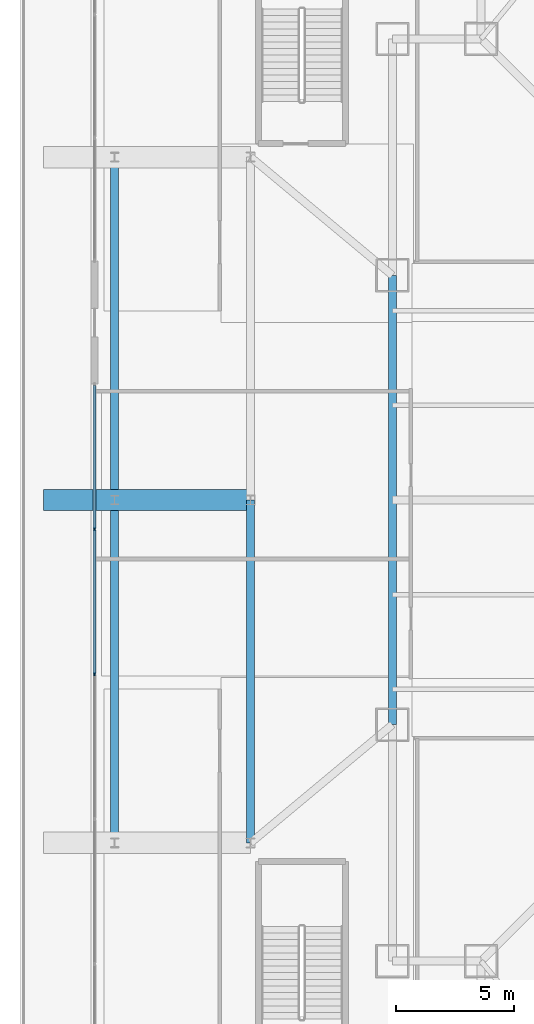
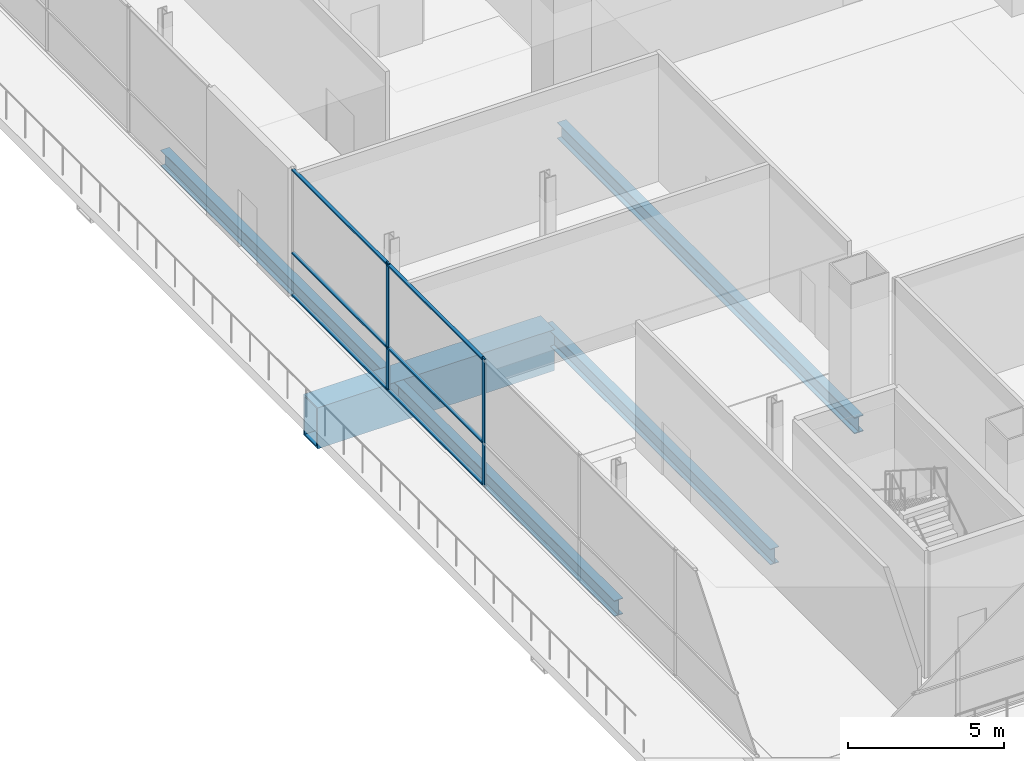
# One storey, part 7 of 35: 8 members, 4 beams, 1 element without a shape of its own.
"""IFC4 building model written with IfcOpenShell, lengths in metres."""

from ifc_helpers import new_model, si_unit, direction, frame, origin, origin_2d, place, context, subcontext, project, spatial, rectangle, hollow_rectangle, i_section, extrude, material, layer, layer_set, material_profile, profile_set, type_object, element, aggregate, save


model = new_model("IFC4")

# Units and contexts
model_context = context("Model", 3, precision=1e-05, world=origin(), true_north=direction((0.0, 1.0)))
body_context = subcontext(model_context, "Body", "Model", "MODEL_VIEW")
ifc_project = project(units=[si_unit("LENGTHUNIT", "METRE"), si_unit("AREAUNIT", "SQUARE_METRE"), si_unit("VOLUMEUNIT", "CUBIC_METRE"), si_unit("PLANEANGLEUNIT", "RADIAN"), si_unit("MASSUNIT", "GRAM", prefix="KILO")], contexts=[model_context])

# Site, building, storey
site_placement = place(None, origin())
site = spatial("IfcSite", under=ifc_project, at=site_placement, CompositionType="ELEMENT")
building_placement = place(site_placement, origin())
building = spatial("IfcBuilding", under=site, at=building_placement, Name="Trevonay Congress Spire", CompositionType="ELEMENT")
storey_placement = place(building_placement, frame((0.0, 0.0, 10.800048828125)))
storey = spatial("IfcBuildingStorey", under=building, at=storey_placement, Name="L02", CompositionType="ELEMENT", Elevation=10.800048828125)

# Beams
ifc_material_1 = material(Name="Steel ASTM A572 Grade 50", Category="steel")
ifc_material_profile_1 = material_profile(ifc_material_1, i_section(OverallWidth=0.324951171875, OverallDepth=0.615966796875, WebThickness=0.013916015625, FlangeThickness=0.021484375, FilletRadius=0.01806640625, at=origin_2d()), Name="W610x174")
ifc_profile_set_1 = profile_set([ifc_material_profile_1], Name="Steel ASTM A572 Grade 50")
beam_type_1 = type_object("IfcBeamType", Name="BM-GIRD-W610X174", PredefinedType="BEAM", material=ifc_profile_set_1)
beam_1_placement = place(storey_placement, frame((-29.25, -14.5, -0.7080078125), z_axis=(0.0, 1.0, 0.0), x_axis=(-1.0, 0.0, 0.0)))
element("IfcBeam", 1, at=beam_1_placement, inside=storey, type_object=beam_type_1, Name="L02 structural beam BM-L02-POD-WL", PredefinedType="BEAM", context=body_context, shape_type="SweptSolid", body=[
    extrude(i_section(OverallWidth=0.324951171875, OverallDepth=0.615966796875, WebThickness=0.013916015625, FlangeThickness=0.021484375, FilletRadius=0.01806640625, at=origin_2d()), origin(), (0.0, 0.0, 1.0), 14.5),
])
beam_2_placement = place(storey_placement, frame((-35.0, -14.5, -0.7080078125), z_axis=(0.0, 1.0, 0.0), x_axis=(-1.0, 0.0, 0.0)))
element("IfcBeam", 2, at=beam_2_placement, inside=storey, type_object=beam_type_1, Name="L02 structural beam BM-L02-EXWL", PredefinedType="BEAM", context=body_context, shape_type="SweptSolid", body=[
    extrude(i_section(OverallWidth=0.324951171875, OverallDepth=0.615966796875, WebThickness=0.013916015625, FlangeThickness=0.021484375, FilletRadius=0.01806640625, at=origin_2d()), origin(), (0.0, 0.0, 1.0), 29.0),
])
ifc_material_profile_2 = material_profile(ifc_material_1, i_section(OverallWidth=0.3291015625, OverallDepth=0.635009765625, WebThickness=0.017822265625, FlangeThickness=0.031005859375, FilletRadius=0.01806640625, at=origin_2d()), Name="W610x241")
ifc_profile_set_2 = profile_set([ifc_material_profile_2], Name="Steel ASTM A572 Grade 50")
beam_type_2 = type_object("IfcBeamType", Name="BM-GIRD-W610X241", PredefinedType="BEAM", material=ifc_profile_set_2)
beam_3_placement = place(storey_placement, frame((-23.25, -9.5, -0.717529296875), z_axis=(0.0, 1.0, 0.0), x_axis=(-1.0, 0.0, 0.0)))
element("IfcBeam", 3, at=beam_3_placement, inside=storey, type_object=beam_type_2, Name="L02 structural beam BM-L02-MW2", PredefinedType="BEAM", context=body_context, shape_type="SweptSolid", body=[
    extrude(i_section(OverallWidth=0.3291015625, OverallDepth=0.635009765625, WebThickness=0.017822265625, FlangeThickness=0.031005859375, FilletRadius=0.01806640625, at=origin_2d()), origin(), (0.0, 0.0, 1.0), 19.0),
])
ifc_material_profile_3 = material_profile(ifc_material_1, hollow_rectangle(XDim=0.89990234375, YDim=1.60009765625, WallThickness=0.06005859375, at=origin_2d()), Name="BOX 1600x900x60")
ifc_profile_set_3 = profile_set([ifc_material_profile_3], Name="Steel ASTM A572 Grade 50")
beam_type_3 = type_object("IfcBeamType", Name="BM-XFER-BOX1600", PredefinedType="BEAM", material=ifc_profile_set_3)
beam_4_placement = place(storey_placement, frame((-29.25, 0.0, -1.199951171875), z_axis=(-1.0, 0.0, 0.0), x_axis=(0.0, -1.0, 0.0)))
element("IfcBeam", 4, at=beam_4_placement, inside=storey, type_object=beam_type_3, Name="L02 structural beam BM-L02-EXW-C", PredefinedType="BEAM", context=body_context, shape_type="SweptSolid", body=[
    extrude(hollow_rectangle(XDim=0.89990234375, YDim=1.60009765625, WallThickness=0.06005859375, at=origin_2d()), origin(), (0.0, 0.0, 1.0), 8.75),
])

# Curtain wall, members
ifc_material_2 = material(Name="Pale Anodised Aluminium EN AW-6063-T6", Category="aluminium")
ifc_layer = layer(ifc_material_2, 0.179931640625, Name="Pale Anodised Aluminium EN AW-6063-T6")
ifc_layer_set = layer_set([ifc_layer], Name="Pale Anodised Aluminium EN AW-6063-T6")
curtain_wall_type = type_object("IfcCurtainWallType", Name="CW-SYS01-PODIUM-PALE-METAL", PredefinedType="NOTDEFINED", material=ifc_layer_set)
curtain_wall_placement = place(storey_placement, origin())
curtain_wall = element("IfcCurtainWall", 5, at=curtain_wall_placement, inside=storey, type_object=curtain_wall_type, Name="L02 W1 podium curtain wall", PredefinedType="NOTDEFINED")
ifc_material_profile_4 = material_profile(ifc_material_2, rectangle(XDim=0.06005859375, YDim=0.159912109375, at=origin_2d()), Name="CW-MULLION-160-ALUMINIUM")
ifc_profile_set_4 = profile_set([ifc_material_profile_4], Name="Pale Anodised Aluminium EN AW-6063-T6")
member_type_1 = type_object("IfcMemberType", Name="CW-MULLION-160-ALUMINIUM", PredefinedType="MULLION", material=ifc_profile_set_4)
member_1_placement = place(storey_placement, frame((-35.85009765625, -7.360107421875, 0.0), z_axis=(0.0, 0.0, 1.0), x_axis=(-1.0, 0.0, 0.0)))
member_1 = element("IfcMember", 6, at=member_1_placement, type_object=member_type_1, Name="CW01 mullion 4", PredefinedType="MULLION", context=body_context, shape_type="SweptSolid", body=[
    extrude(rectangle(XDim=0.06005859375, YDim=0.159912109375, at=origin_2d()), origin(), (0.0, 0.0, 1.0), 5.0),
])
member_2_placement = place(storey_placement, frame((-35.85009765625, -1.22998046875, 0.0), z_axis=(0.0, 0.0, 1.0), x_axis=(-1.0, 0.0, 0.0)))
member_2 = element("IfcMember", 7, at=member_2_placement, type_object=member_type_1, Name="CW01 mullion 5", PredefinedType="MULLION", context=body_context, shape_type="SweptSolid", body=[
    extrude(rectangle(XDim=0.06005859375, YDim=0.159912109375, at=origin_2d()), origin(), (0.0, 0.0, 1.0), 5.0),
])
ifc_material_profile_5 = material_profile(ifc_material_2, rectangle(XDim=0.1201171875, YDim=0.06005859375, at=origin_2d()), Name="CW-TRANSOM-120-ALUMINIUM")
ifc_profile_set_5 = profile_set([ifc_material_profile_5], Name="Pale Anodised Aluminium EN AW-6063-T6")
member_type_2 = type_object("IfcMemberType", Name="CW-TRANSOM-120-ALUMINIUM", PredefinedType="USERDEFINED", material=ifc_profile_set_5)
member_3_placement = place(storey_placement, frame((-35.85009765625, -7.330078125, 0.06005859375), z_axis=(0.0, 1.0, 0.0), x_axis=(-1.0, 0.0, 0.0)))
member_3 = element("IfcMember", 8, at=member_3_placement, type_object=member_type_2, Name="CW01 transom 4.1", ObjectType="TRANSOM", PredefinedType="USERDEFINED", context=body_context, shape_type="SweptSolid", body=[
    extrude(rectangle(XDim=0.1201171875, YDim=0.06005859375, at=origin_2d()), origin(), (0.0, 0.0, 1.0), 6.070068359375),
])
member_4_placement = place(storey_placement, frame((-35.85009765625, -7.330078125, 1.699951171875), z_axis=(0.0, 1.0, 0.0), x_axis=(-1.0, 0.0, 0.0)))
member_4 = element("IfcMember", 9, at=member_4_placement, type_object=member_type_2, Name="CW01 transom 4.2", ObjectType="TRANSOM", PredefinedType="USERDEFINED", context=body_context, shape_type="SweptSolid", body=[
    extrude(rectangle(XDim=0.1201171875, YDim=0.06005859375, at=origin_2d()), origin(), (0.0, 0.0, 1.0), 6.070068359375),
])
member_5_placement = place(storey_placement, frame((-35.85009765625, -7.330078125, 4.93994140625), z_axis=(0.0, 1.0, 0.0), x_axis=(-1.0, 0.0, 0.0)))
member_5 = element("IfcMember", 10, at=member_5_placement, type_object=member_type_2, Name="CW01 transom 4.3", ObjectType="TRANSOM", PredefinedType="USERDEFINED", context=body_context, shape_type="SweptSolid", body=[
    extrude(rectangle(XDim=0.1201171875, YDim=0.06005859375, at=origin_2d()), origin(), (0.0, 0.0, 1.0), 6.070068359375),
])
member_6_placement = place(storey_placement, frame((-35.85009765625, -1.199951171875, 0.06005859375), z_axis=(0.0, 1.0, 0.0), x_axis=(-1.0, 0.0, 0.0)))
member_6 = element("IfcMember", 11, at=member_6_placement, type_object=member_type_2, Name="CW01 transom 5.1", ObjectType="TRANSOM", PredefinedType="USERDEFINED", context=body_context, shape_type="SweptSolid", body=[
    extrude(rectangle(XDim=0.1201171875, YDim=0.06005859375, at=origin_2d()), origin(), (0.0, 0.0, 1.0), 6.0400390625),
])
member_7_placement = place(storey_placement, frame((-35.85009765625, -1.199951171875, 1.699951171875), z_axis=(0.0, 1.0, 0.0), x_axis=(-1.0, 0.0, 0.0)))
member_7 = element("IfcMember", 12, at=member_7_placement, type_object=member_type_2, Name="CW01 transom 5.2", ObjectType="TRANSOM", PredefinedType="USERDEFINED", context=body_context, shape_type="SweptSolid", body=[
    extrude(rectangle(XDim=0.1201171875, YDim=0.06005859375, at=origin_2d()), origin(), (0.0, 0.0, 1.0), 6.0400390625),
])
member_8_placement = place(storey_placement, frame((-35.85009765625, -1.199951171875, 4.93994140625), z_axis=(0.0, 1.0, 0.0), x_axis=(-1.0, 0.0, 0.0)))
member_8 = element("IfcMember", 13, at=member_8_placement, type_object=member_type_2, Name="CW01 transom 5.3", ObjectType="TRANSOM", PredefinedType="USERDEFINED", context=body_context, shape_type="SweptSolid", body=[
    extrude(rectangle(XDim=0.1201171875, YDim=0.06005859375, at=origin_2d()), origin(), (0.0, 0.0, 1.0), 6.0400390625),
])
aggregate(curtain_wall, [member_1, member_2, member_3, member_4, member_5, member_6, member_7, member_8])

save(model, "model.ifc")
